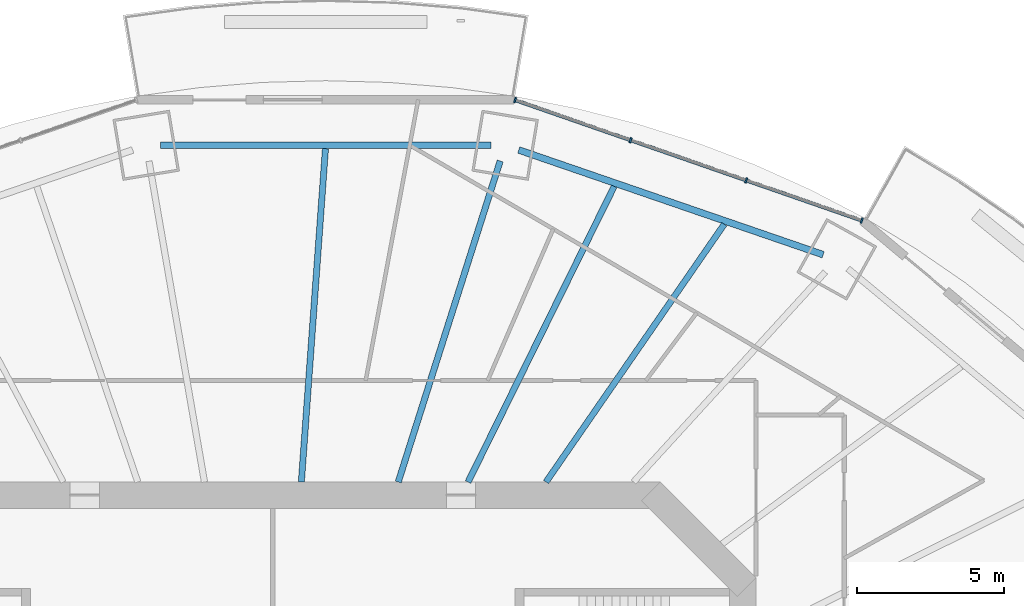
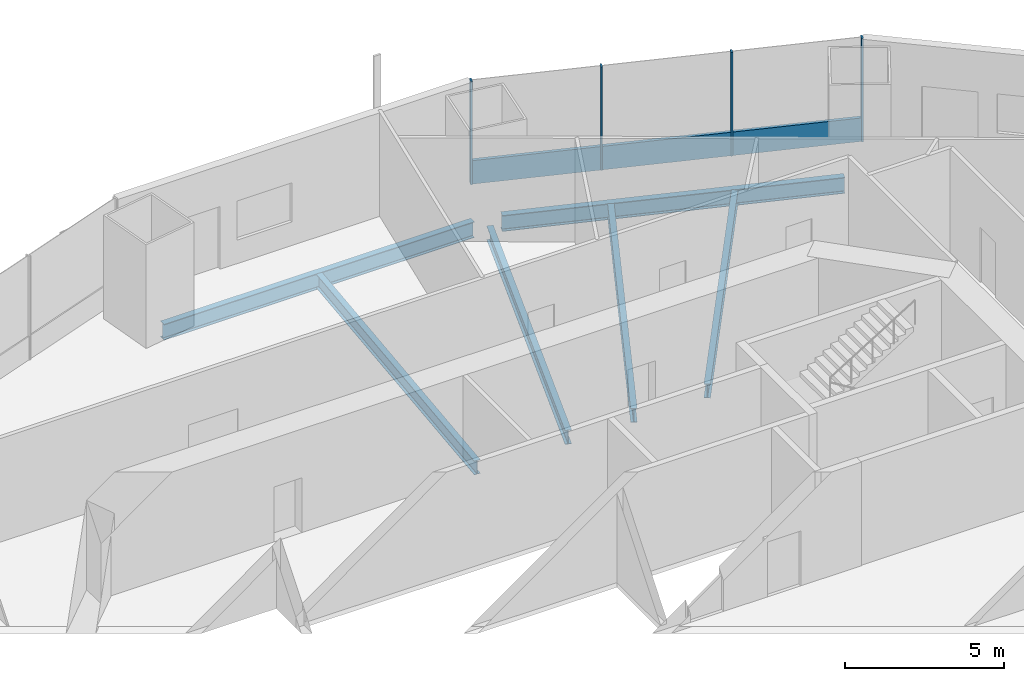
# One storey, part 9 of 21: 6 beams, 5 members, 1 element without a shape of its own.
"""IFC4 building model written with IfcOpenShell, lengths in metres."""

from ifc_helpers import new_model, si_unit, direction, frame, origin, origin_2d, place, context, subcontext, project, spatial, rectangle, i_section, extrude, material, material_profile, profile_set, type_object, element, aggregate, save


model = new_model("IFC4")

# Units and contexts
model_context = context("Model", 3, precision=1e-05, world=origin(), true_north=direction((0.0, 1.0)))
body_context = subcontext(model_context, "Body", "Model", "MODEL_VIEW")
ifc_project = project(units=[si_unit("LENGTHUNIT", "METRE"), si_unit("AREAUNIT", "SQUARE_METRE"), si_unit("VOLUMEUNIT", "CUBIC_METRE"), si_unit("PLANEANGLEUNIT", "RADIAN"), si_unit("MASSUNIT", "GRAM", prefix="KILO")], contexts=[model_context])

# Site, building, storey
site_placement = place(None, origin())
site = spatial("IfcSite", under=ifc_project, at=site_placement, CompositionType="ELEMENT")
building_placement = place(site_placement, origin())
building = spatial("IfcBuilding", under=site, at=building_placement, Name="Marenthal Gate Tower", CompositionType="ELEMENT")
storey_placement = place(building_placement, frame((0.0, 0.0, 161.050048828125)))
storey = spatial("IfcBuildingStorey", under=building, at=storey_placement, Name="L34", CompositionType="ELEMENT", Elevation=161.050048828125)

# Curtain wall, members
ifc_material_1 = material(Name="Aluminium and glass", Category="aluminium")
curtain_wall_type = type_object("IfcCurtainWallType", Name="Curtain wall typical mid", PredefinedType="NOTDEFINED", material=ifc_material_1)
curtain_wall_placement = place(storey_placement, origin())
curtain_wall = element("IfcCurtainWall", 1, at=curtain_wall_placement, inside=storey, type_object=curtain_wall_type, Name="Curtain wall L34 bay 3", PredefinedType="NOTDEFINED")
ifc_material_2 = material(Name="Aluminium", Category="aluminium")
ifc_material_profile_1 = material_profile(ifc_material_2, rectangle(XDim=0.179931640625, YDim=0.06005859375, at=origin_2d()), Name="60x180 aluminium mullion")
ifc_profile_set_1 = profile_set([ifc_material_profile_1], Name="Aluminium")
member_type_1 = type_object("IfcMemberType", Name="Mullion 60x180 typical mid", PredefinedType="MULLION", material=ifc_profile_set_1)
member_1_placement = place(storey_placement, frame((20.04931640625, 22.351806640625, 0.0), z_axis=(0.0, 0.0, 1.0), x_axis=(-0.328157600538, -0.944622987868, 0.0)))
member_1 = element("IfcMember", 2, at=member_1_placement, type_object=member_type_1, Name="Mullion L34 bay 3.1", PredefinedType="MULLION", context=body_context, shape_type="SweptSolid", body=[
    extrude(rectangle(XDim=0.179931640625, YDim=0.06005859375, at=origin_2d()), origin(), (0.0, 0.0, 1.0), 3.969970703125),
])
member_2_placement = place(storey_placement, frame((16.114990234375, 23.718505859375, 0.0), z_axis=(0.0, 0.0, 1.0), x_axis=(-0.328157600538, -0.944622987868, 0.0)))
member_2 = element("IfcMember", 3, at=member_2_placement, type_object=member_type_1, Name="Mullion L34 bay 3.2", PredefinedType="MULLION", context=body_context, shape_type="SweptSolid", body=[
    extrude(rectangle(XDim=0.179931640625, YDim=0.06005859375, at=origin_2d()), origin(), (0.0, 0.0, 1.0), 3.969970703125),
])
member_3_placement = place(storey_placement, frame((12.180908203125, 25.085205078125, 0.0), z_axis=(0.0, 0.0, 1.0), x_axis=(-0.328157600538, -0.944622987868, 0.0)))
member_3 = element("IfcMember", 4, at=member_3_placement, type_object=member_type_1, Name="Mullion L34 bay 3.3", PredefinedType="MULLION", context=body_context, shape_type="SweptSolid", body=[
    extrude(rectangle(XDim=0.179931640625, YDim=0.06005859375, at=origin_2d()), origin(), (0.0, 0.0, 1.0), 3.969970703125),
])
member_4_placement = place(storey_placement, frame((8.24658203125, 26.451904296875, 0.0), z_axis=(0.0, 0.0, 1.0), x_axis=(-0.328157600538, -0.944622987868, 0.0)))
member_4 = element("IfcMember", 5, at=member_4_placement, type_object=member_type_1, Name="Mullion L34 bay 3.4", PredefinedType="MULLION", context=body_context, shape_type="SweptSolid", body=[
    extrude(rectangle(XDim=0.179931640625, YDim=0.06005859375, at=origin_2d()), origin(), (0.0, 0.0, 1.0), 3.969970703125),
])
ifc_material_3 = material(Name="Aluminium", Category="aluminium")
ifc_material_profile_2 = material_profile(ifc_material_3, rectangle(XDim=0.1201171875, YDim=0.89990234375, at=origin_2d()), Name="120x900 aluminium transom")
ifc_profile_set_2 = profile_set([ifc_material_profile_2], Name="Aluminium")
member_type_2 = type_object("IfcMemberType", Name="Transom 120x900 typical mid", PredefinedType="USERDEFINED", material=ifc_profile_set_2)
member_5_placement = place(storey_placement, frame((20.02099609375, 22.361572265625, 0.449951171875), z_axis=(-0.944622278222, 0.328159643295, 0.0), x_axis=(-0.328159643295, -0.944622278222, 0.0)))
member_5 = element("IfcMember", 6, at=member_5_placement, type_object=member_type_2, Name="Transom L34 bay 3", ObjectType="TRANSOM", PredefinedType="USERDEFINED", context=body_context, shape_type="SweptSolid", body=[
    extrude(rectangle(XDim=0.1201171875, YDim=0.89990234375, at=origin_2d()), origin(), (0.0, 0.0, 1.0), 12.434814453125),
])
aggregate(curtain_wall, [member_1, member_2, member_3, member_4, member_5])

# Beams
ifc_material_4 = material(Name="Steel S355", Category="steel")
ifc_material_profile_3 = material_profile(ifc_material_4, i_section(OverallWidth=0.2099609375, OverallDepth=0.535888671875, WebThickness=0.010986328125, FlangeThickness=0.017333984375, FilletRadius=0.0126953125, at=origin_2d()), Name="W530X101")
ifc_profile_set_3 = profile_set([ifc_material_profile_3], Name="Steel S355")
beam_type_1 = type_object("IfcBeamType", Name="W530X101 beam", PredefinedType="BEAM", material=ifc_profile_set_3)
beam_1_placement = place(storey_placement, frame((15.368896484375, 22.22509765625, -0.447998046875), z_axis=(-0.568767239586, -0.822498527156, 0.0), x_axis=(0.822498527156, -0.568767239586, 0.0)))
element("IfcBeam", 7, at=beam_1_placement, inside=storey, type_object=beam_type_1, Name="BM-L34-20", PredefinedType="BEAM", context=body_context, shape_type="SweptSolid", body=[
    extrude(i_section(OverallWidth=0.2099609375, OverallDepth=0.535888671875, WebThickness=0.010986328125, FlangeThickness=0.017333984375, FilletRadius=0.0126953125, at=origin_2d()), origin(), (0.0, 0.0, 1.0), 10.6689453125),
])
beam_2_placement = place(storey_placement, frame((11.622314453125, 23.51416015625, -0.447998046875), z_axis=(-0.44309433849, -0.896474989722, 0.0), x_axis=(0.896474989722, -0.44309433849, 0.0)))
element("IfcBeam", 8, at=beam_2_placement, inside=storey, type_object=beam_type_1, Name="BM-L34-21", PredefinedType="BEAM", context=body_context, shape_type="SweptSolid", body=[
    extrude(i_section(OverallWidth=0.2099609375, OverallDepth=0.535888671875, WebThickness=0.010986328125, FlangeThickness=0.017333984375, FilletRadius=0.0126953125, at=origin_2d()), origin(), (0.0, 0.0, 1.0), 11.226318359375),
])
beam_3_placement = place(storey_placement, frame((1.791748046875, 24.797607421875, -0.447998046875), z_axis=(-0.072079665045, -0.997398878026, 0.0), x_axis=(0.997398878026, -0.072079665045, 0.0)))
element("IfcBeam", 9, at=beam_3_placement, inside=storey, type_object=beam_type_1, Name="BM-L34-22", PredefinedType="BEAM", context=body_context, shape_type="SweptSolid", body=[
    extrude(i_section(OverallWidth=0.2099609375, OverallDepth=0.535888671875, WebThickness=0.010986328125, FlangeThickness=0.017333984375, FilletRadius=0.0126953125, at=origin_2d()), origin(), (0.0, 0.0, 1.0), 11.377197265625),
])
ifc_material_5 = material(Name="Steel S355", Category="steel")
ifc_material_profile_4 = material_profile(ifc_material_5, i_section(OverallWidth=0.2119140625, OverallDepth=0.5439453125, WebThickness=0.01318359375, FlangeThickness=0.021240234375, FilletRadius=0.0126953125, at=origin_2d()), Name="W530X123")
ifc_profile_set_4 = profile_set([ifc_material_profile_4], Name="Steel S355")
beam_type_2 = type_object("IfcBeamType", Name="W530X123 beam", PredefinedType="BEAM", material=ifc_profile_set_4)
beam_4_placement = place(storey_placement, frame((7.740234375, 24.377685546875, -0.4521484375), z_axis=(-0.302627032057, -0.953109059588, 0.0), x_axis=(0.953109059588, -0.302627032057, 0.0)))
element("IfcBeam", 10, at=beam_4_placement, inside=storey, type_object=beam_type_2, Name="BM-L34-04", PredefinedType="BEAM", context=body_context, shape_type="SweptSolid", body=[
    extrude(i_section(OverallWidth=0.2119140625, OverallDepth=0.5439453125, WebThickness=0.01318359375, FlangeThickness=0.021240234375, FilletRadius=0.0126953125, at=origin_2d()), origin(), (0.0, 0.0, 1.0), 11.46533203125),
])
ifc_material_6 = material(Name="Steel S355", Category="steel")
ifc_material_profile_5 = material_profile(ifc_material_6, i_section(OverallWidth=0.22900390625, OverallDepth=0.612060546875, WebThickness=0.011962890625, FlangeThickness=0.01953125, FilletRadius=0.0126953125, at=origin_2d()), Name="W610X125")
ifc_profile_set_5 = profile_set([ifc_material_profile_5], Name="Steel S355")
beam_type_3 = type_object("IfcBeamType", Name="W610X125 beam", PredefinedType="BEAM", material=ifc_profile_set_5)
beam_5_placement = place(storey_placement, frame((18.736328125, 21.1875, -0.486083984375), z_axis=(-0.945601181961, 0.32532814922, 0.0), x_axis=(-0.32532814922, -0.945601181961, 0.0)))
element("IfcBeam", 11, at=beam_5_placement, inside=storey, type_object=beam_type_3, Name="BM-L34-43", PredefinedType="BEAM", context=body_context, shape_type="SweptSolid", body=[
    extrude(i_section(OverallWidth=0.22900390625, OverallDepth=0.612060546875, WebThickness=0.011962890625, FlangeThickness=0.01953125, FilletRadius=0.0126953125, at=origin_2d()), origin(), (0.0, 0.0, 1.0), 10.960205078125),
])
beam_6_placement = place(storey_placement, frame((7.421875, 24.912109375, -0.486083984375), z_axis=(-1.0, 0.0, 0.0), x_axis=(0.0, -1.0, 0.0)))
element("IfcBeam", 12, at=beam_6_placement, inside=storey, type_object=beam_type_3, Name="BM-L34-44", PredefinedType="BEAM", context=body_context, shape_type="SweptSolid", body=[
    extrude(i_section(OverallWidth=0.22900390625, OverallDepth=0.612060546875, WebThickness=0.011962890625, FlangeThickness=0.01953125, FilletRadius=0.0126953125, at=origin_2d()), origin(), (0.0, 0.0, 1.0), 11.24365234375),
])

save(model, "model.ifc")
